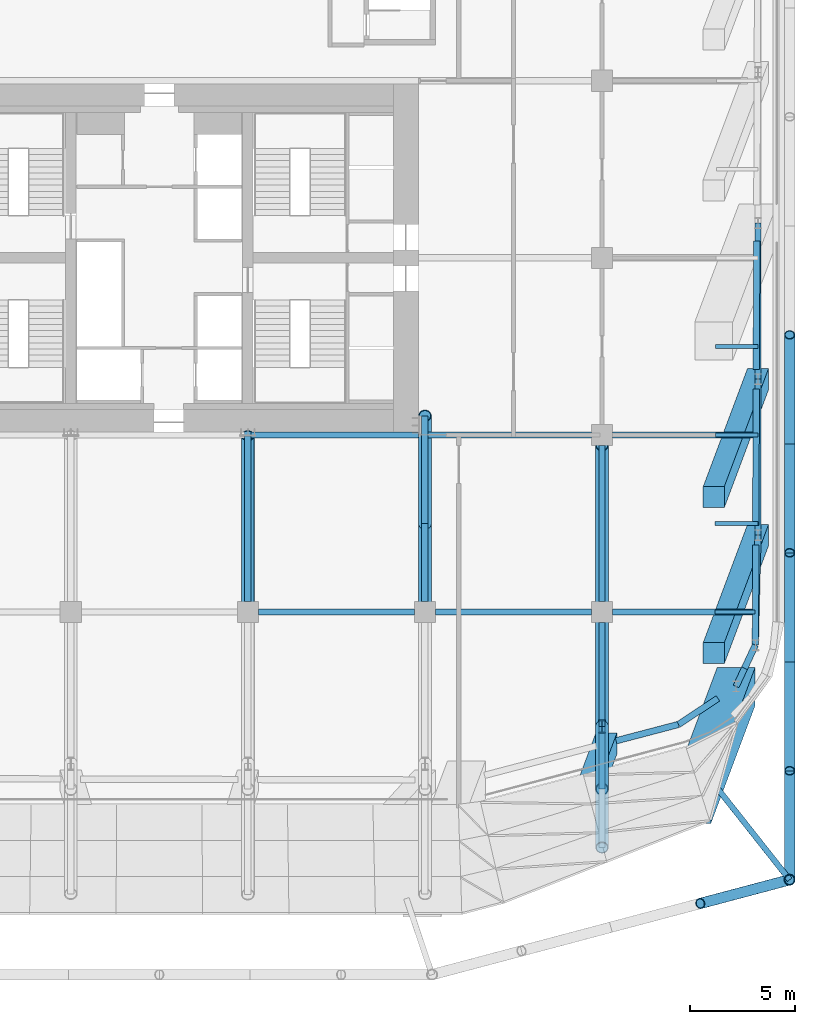
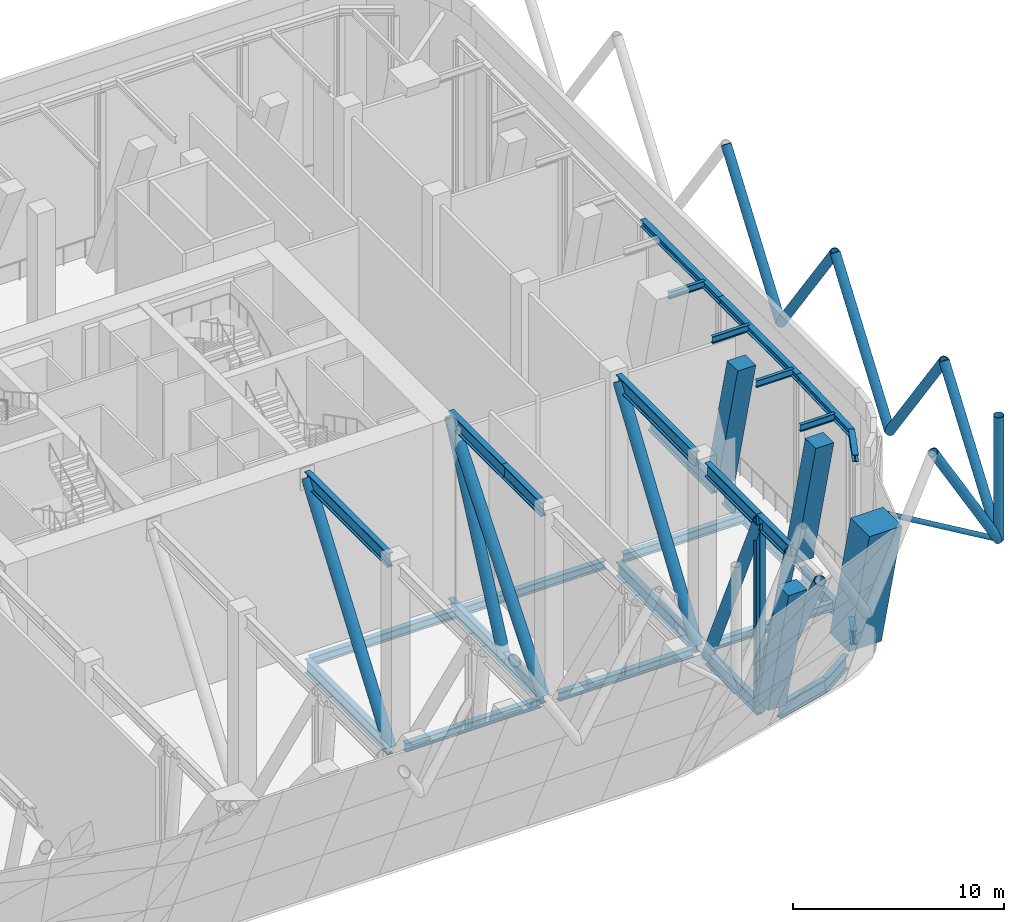
# One storey, part 5 of 19: 38 beams, 13 members.
"""IFC4 building model written with IfcOpenShell, lengths in metres."""

from ifc_helpers import new_model, si_unit, direction, frame, origin, origin_2d, place, context, subcontext, project, spatial, rectangle, hollow_circle, i_section, extrude, material, material_profile, profile_set, type_object, element, save


model = new_model("IFC4")

# Units and contexts
model_context = context("Model", 3, precision=1e-05, world=origin(), true_north=direction((0.0, 1.0)))
body_context = subcontext(model_context, "Body", "Model", "MODEL_VIEW")
ifc_project = project(units=[si_unit("LENGTHUNIT", "METRE"), si_unit("AREAUNIT", "SQUARE_METRE"), si_unit("VOLUMEUNIT", "CUBIC_METRE"), si_unit("PLANEANGLEUNIT", "RADIAN"), si_unit("MASSUNIT", "GRAM", prefix="KILO")], contexts=[model_context])

# Site, building, storey
site_placement = place(None, origin())
site = spatial("IfcSite", under=ifc_project, at=site_placement, CompositionType="ELEMENT")
building_placement = place(site_placement, origin())
building = spatial("IfcBuilding", under=site, at=building_placement, Name="Marenta Gate Hotel Tower", CompositionType="ELEMENT")
storey_placement = place(building_placement, frame((0.0, 0.0, 86.89990234375)))
storey = spatial("IfcBuildingStorey", under=building, at=storey_placement, Name="L20", CompositionType="ELEMENT", Elevation=86.89990234375)

# Members
ifc_material_1 = material(Name="Steel S355J2W", Category="steel")
ifc_material_profile_1 = material_profile(ifc_material_1, hollow_circle(Radius=0.25390625, WallThickness=0.02490234375, at=origin_2d()), Name="CHS 508x25")
ifc_profile_set_1 = profile_set([ifc_material_profile_1], Name="Steel S355J2W")
member_type_1 = type_object("IfcMemberType", Name="Diagrid corner post Z2 CHS 508x25", PredefinedType="POST", material=ifc_profile_set_1)
member_1_placement = place(storey_placement, frame((29.89990234375, -21.10009765625, 10.340087890625), z_axis=(0.0, 0.0, 1.0), x_axis=(1.0, 0.0, 0.0)))
element("IfcMember", 1, at=member_1_placement, inside=storey, type_object=member_type_1, Name="L20-DR-2", PredefinedType="POST", context=body_context, shape_type="SweptSolid", body=[
    extrude(hollow_circle(Radius=0.25390625, WallThickness=0.02490234375, at=origin_2d()), origin(), (0.0, 0.0, 1.0), 7.199951171875),
])
ifc_material_2 = material(Name="Steel S355J2W", Category="steel")
ifc_material_profile_2 = material_profile(ifc_material_2, hollow_circle(Radius=0.25390625, WallThickness=0.0400390625, at=origin_2d()), Name="CHS 508x40")
ifc_profile_set_2 = profile_set([ifc_material_profile_2], Name="Steel S355J2W")
member_type_2 = type_object("IfcMemberType", Name="Diagrid diagonal Z2 CHS 508x40", PredefinedType="BRACE", material=ifc_profile_set_2)
member_2_placement = place(storey_placement, frame((29.89990234375, -0.420166015625, 10.340087890625), z_axis=(0.0, 0.583279014058, 0.812271870595), x_axis=(-1.0, 0.0, 0.0)))
element("IfcMember", 2, at=member_2_placement, inside=storey, type_object=member_type_2, Name="L20-DG-6", PredefinedType="BRACE", context=body_context, shape_type="SweptSolid", body=[
    extrude(hollow_circle(Radius=0.25390625, WallThickness=0.0400390625, at=origin_2d()), origin(), (0.0, 0.0, 1.0), 8.864013671875),
])
for number, where, z_axis, x_axis, name in (
    (3, (29.89990234375, -0.420166015625, 10.340087890625), (0.0, -0.583260841117, 0.812284919975), (1.0, 0.0, 0.0), "L20-DG-7"),
    (4, (29.89990234375, -10.760009765625, 10.340087890625), (0.0, 0.583260841117, 0.812284919975), (-1.0, 0.0, 0.0), "L20-DG-8"),
):
    element("IfcMember", number, at=place(storey_placement, frame(where, z_axis=z_axis, x_axis=x_axis)), inside=storey, type_object=member_type_2, Name=name, PredefinedType="BRACE", context=body_context, shape_type="SweptSolid", body=[
        extrude(hollow_circle(Radius=0.25390625, WallThickness=0.0400390625, at=origin_2d()), origin(), (0.0, 0.0, 1.0), 8.86376953125),
    ])
member_3_placement = place(storey_placement, frame((29.89990234375, -10.760009765625, 10.340087890625), z_axis=(0.0, -0.583279014058, 0.812271870595), x_axis=(1.0, 0.0, 0.0)))
element("IfcMember", 5, at=member_3_placement, inside=storey, type_object=member_type_2, Name="L20-DG-9", PredefinedType="BRACE", context=body_context, shape_type="SweptSolid", body=[
    extrude(hollow_circle(Radius=0.25390625, WallThickness=0.0400390625, at=origin_2d()), origin(), (0.0, 0.0, 1.0), 8.864013671875),
])
member_4_placement = place(storey_placement, frame((29.89990234375, -21.10009765625, 10.340087890625), z_axis=(0.0, 0.583260841117, 0.812284919975), x_axis=(-1.0, 0.0, 0.0)))
element("IfcMember", 6, at=member_4_placement, inside=storey, type_object=member_type_2, Name="L20-DG-10", PredefinedType="BRACE", context=body_context, shape_type="SweptSolid", body=[
    extrude(hollow_circle(Radius=0.25390625, WallThickness=0.0400390625, at=origin_2d()), origin(), (0.0, 0.0, 1.0), 8.86376953125),
])
member_5_placement = place(storey_placement, frame((29.89990234375, -21.10009765625, 10.340087890625), z_axis=(-0.502902385412, -0.133435492139, 0.853981358218), x_axis=(0.256456982503, -0.966555645644, 0.0)))
element("IfcMember", 7, at=member_5_placement, inside=storey, type_object=member_type_2, Name="L20-DG-11", PredefinedType="BRACE", context=body_context, shape_type="SweptSolid", body=[
    extrude(hollow_circle(Radius=0.25390625, WallThickness=0.0400390625, at=origin_2d()), origin(), (0.0, 0.0, 1.0), 8.43115234375),
])

# Beams
ifc_material_3 = material(Name="Steel S355", Category="steel")
ifc_material_profile_3 = material_profile(ifc_material_3, i_section(OverallWidth=0.302978515625, OverallDepth=0.81396484375, WebThickness=0.030029296875, FlangeThickness=0.052001953125, FilletRadius=0.030029296875, at=origin_2d()), Name="HEM 800")
ifc_profile_set_3 = profile_set([ifc_material_profile_3], Name="Steel S355")
beam_type_1 = type_object("IfcBeamType", Name="Edge beam HEM 800", PredefinedType="SPANDREL", material=ifc_profile_set_3)
beam_1_placement = place(storey_placement, frame((28.3388671875, 9.18994140625, -0.706787109375), z_axis=(-0.003332378012, -0.999994447613, 0.0), x_axis=(0.999994447613, -0.003332378012, 0.0)))
element("IfcBeam", 8, at=beam_1_placement, inside=storey, type_object=beam_type_1, Name="L20-EB-25", PredefinedType="SPANDREL", context=body_context, shape_type="SweptSolid", body=[
    extrude(i_section(OverallWidth=0.302978515625, OverallDepth=0.81396484375, WebThickness=0.030029296875, FlangeThickness=0.052001953125, FilletRadius=0.030029296875, at=origin_2d()), origin(), (0.0, 0.0, 1.0), 6.080810546875),
])
beam_2_placement = place(storey_placement, frame((28.315673828125, 2.189208984375, -0.706787109375), z_axis=(-0.003352525703, -0.99999438027, 0.0), x_axis=(0.99999438027, -0.003352525703, 0.0)))
element("IfcBeam", 9, at=beam_2_placement, inside=storey, type_object=beam_type_1, Name="L20-EB-26", PredefinedType="SPANDREL", context=body_context, shape_type="SweptSolid", body=[
    extrude(i_section(OverallWidth=0.302978515625, OverallDepth=0.81396484375, WebThickness=0.030029296875, FlangeThickness=0.052001953125, FilletRadius=0.030029296875, at=origin_2d()), origin(), (0.0, 0.0, 1.0), 6.481201171875),
])
beam_3_placement = place(storey_placement, frame((28.291015625, -5.2119140625, -0.706787109375), z_axis=(-0.003337079684, -0.999994431934, 0.0), x_axis=(0.999994431934, -0.003337079684, 0.0)))
element("IfcBeam", 10, at=beam_3_placement, inside=storey, type_object=beam_type_1, Name="L20-EB-27", PredefinedType="SPANDREL", context=body_context, shape_type="SweptSolid", body=[
    extrude(i_section(OverallWidth=0.302978515625, OverallDepth=0.81396484375, WebThickness=0.030029296875, FlangeThickness=0.052001953125, FilletRadius=0.030029296875, at=origin_2d()), origin(), (0.0, 0.0, 1.0), 4.75537109375),
])
beam_4_placement = place(storey_placement, frame((28.275146484375, -9.96728515625, -0.706787109375), z_axis=(-0.423291965192, -0.905993329006, 0.0), x_axis=(0.905993329006, -0.423291965192, 0.0)))
element("IfcBeam", 11, at=beam_4_placement, inside=storey, type_object=beam_type_1, Name="L20-EB-28", PredefinedType="SPANDREL", context=body_context, shape_type="SweptSolid", body=[
    extrude(i_section(OverallWidth=0.302978515625, OverallDepth=0.81396484375, WebThickness=0.030029296875, FlangeThickness=0.052001953125, FilletRadius=0.030029296875, at=origin_2d()), origin(), (0.0, 0.0, 1.0), 1.21630859375),
])
beam_5_placement = place(storey_placement, frame((26.496337890625, -12.498291015625, -0.706787109375), z_axis=(-0.834510054819, -0.550992711754, 0.0), x_axis=(0.550992711754, -0.834510054819, 0.0)))
element("IfcBeam", 12, at=beam_5_placement, inside=storey, type_object=beam_type_1, Name="L20-EB-29", PredefinedType="SPANDREL", context=body_context, shape_type="SweptSolid", body=[
    extrude(i_section(OverallWidth=0.302978515625, OverallDepth=0.81396484375, WebThickness=0.030029296875, FlangeThickness=0.052001953125, FilletRadius=0.030029296875, at=origin_2d()), origin(), (0.0, 0.0, 1.0), 2.237060546875),
])
beam_6_placement = place(storey_placement, frame((24.62939453125, -13.73095703125, -0.706787109375), z_axis=(-0.967228272573, -0.253908386501, 0.0), x_axis=(0.253908386501, -0.967228272573, 0.0)))
element("IfcBeam", 13, at=beam_6_placement, inside=storey, type_object=beam_type_1, Name="L20-EB-30", PredefinedType="SPANDREL", context=body_context, shape_type="SweptSolid", body=[
    extrude(i_section(OverallWidth=0.302978515625, OverallDepth=0.81396484375, WebThickness=0.030029296875, FlangeThickness=0.052001953125, FilletRadius=0.030029296875, at=origin_2d()), origin(), (0.0, 0.0, 1.0), 3.0615234375),
])

# Members
ifc_material_4 = material(Name="Concrete C80", Category="concrete")
ifc_material_profile_4 = material_profile(ifc_material_4, rectangle(XDim=1.0, YDim=1.0, at=origin_2d()), Name="1000 x 1000")
ifc_profile_set_4 = profile_set([ifc_material_profile_4], Name="Concrete C80")
member_type_3 = type_object("IfcMemberType", Name="Edge column raked 1000 x 1000 C80", PredefinedType="STRUT", material=ifc_profile_set_4)
member_6_placement = place(storey_placement, frame((28.39990234375, 2.649169921875, 0.0), z_axis=(0.0, 0.0, 1.0), x_axis=(1.0, 0.0, 0.0)))
element("IfcMember", 14, at=member_6_placement, inside=storey, type_object=member_type_3, Name="L20-EC-E-SE-1", PredefinedType="STRUT", context=body_context, shape_type="SweptSolid", body=[
    extrude(rectangle(XDim=1.0, YDim=1.0, at=origin_2d()), origin(), (-0.170090510133, -0.453614245022, 0.874816172162), 12.345458984375),
])
member_7_placement = place(storey_placement, frame((28.39990234375, -4.751953125, 0.0), z_axis=(0.0, 0.0, 1.0), x_axis=(1.0, 0.0, 0.0)))
element("IfcMember", 15, at=member_7_placement, inside=storey, type_object=member_type_3, Name="L20-EC-E-SE-2", PredefinedType="STRUT", context=body_context, shape_type="SweptSolid", body=[
    extrude(rectangle(XDim=1.0, YDim=1.0, at=origin_2d()), origin(), (-0.170092035922, -0.453598538302, 0.874824019656), 12.345458984375),
])
member_8_placement = place(storey_placement, frame((21.206787109375, -14.63916015625, 0.0), z_axis=(0.0, 0.0, 1.0), x_axis=(1.0, 0.0, 0.0)))
element("IfcMember", 16, at=member_8_placement, inside=storey, type_object=member_type_3, Name="L20-EC-SE-SKE-1", PredefinedType="STRUT", context=body_context, shape_type="SweptSolid", body=[
    extrude(rectangle(XDim=1.0, YDim=1.0, at=origin_2d()), origin(), (-0.170111239528, -0.453597012445, 0.874821076842), 12.345458984375),
])
ifc_material_5 = material(Name="Steel S355J2W", Category="steel")
ifc_material_profile_5 = material_profile(ifc_material_5, hollow_circle(Radius=0.136474609375, WallThickness=0.012451171875, at=origin_2d()), Name="CHS 273x12.5")
ifc_profile_set_5 = profile_set([ifc_material_profile_5], Name="Steel S355J2W")
member_type_4 = type_object("IfcMemberType", Name="Floor tie CHS 273x12.5", PredefinedType="STRUT", material=ifc_profile_set_5)
member_9_placement = place(storey_placement, frame((29.89990234375, -21.10009765625, 10.340087890625), z_axis=(-0.619960176981, 0.784633276733, 0.0), x_axis=(-0.784633276733, -0.619960176981, 0.0)))
element("IfcMember", 17, at=member_9_placement, inside=storey, type_object=member_type_4, Name="L20-DR-8", PredefinedType="STRUT", context=body_context, shape_type="SweptSolid", body=[
    extrude(hollow_circle(Radius=0.136474609375, WallThickness=0.012451171875, at=origin_2d()), origin(), (0.0, 0.0, 1.0), 5.988037109375),
])

# Beams
ifc_material_6 = material(Name="Steel S355", Category="steel")
ifc_material_profile_6 = material_profile(ifc_material_6, i_section(OverallWidth=0.300048828125, OverallDepth=0.5, WebThickness=0.014404296875, FlangeThickness=0.028076171875, FilletRadius=0.027099609375, at=origin_2d()), Name="HEB 500")
ifc_profile_set_6 = profile_set([ifc_material_profile_6], Name="Steel S355")
beam_type_2 = type_object("IfcBeamType", Name="Girder HEB 500", PredefinedType="BEAM", material=ifc_profile_set_6)
beam_7_placement = place(storey_placement, frame((4.699951171875, -8.39990234375, -0.5498046875), z_axis=(1.0, 0.0, 0.0), x_axis=(0.0, 1.0, 0.0)))
element("IfcBeam", 18, at=beam_7_placement, inside=storey, type_object=beam_type_2, Name="L20-GD-5", PredefinedType="BEAM", context=body_context, shape_type="SweptSolid", body=[
    extrude(i_section(OverallWidth=0.300048828125, OverallDepth=0.5, WebThickness=0.014404296875, FlangeThickness=0.028076171875, FilletRadius=0.027099609375, at=origin_2d()), origin(), (0.0, 0.0, 1.0), 7.400146484375),
])
beam_8_placement = place(storey_placement, frame((13.10009765625, -8.39990234375, -0.5498046875), z_axis=(1.0, 0.0, 0.0), x_axis=(0.0, 1.0, 0.0)))
element("IfcBeam", 19, at=beam_8_placement, inside=storey, type_object=beam_type_2, Name="L20-GD-6", PredefinedType="BEAM", context=body_context, shape_type="SweptSolid", body=[
    extrude(i_section(OverallWidth=0.300048828125, OverallDepth=0.5, WebThickness=0.014404296875, FlangeThickness=0.028076171875, FilletRadius=0.027099609375, at=origin_2d()), origin(), (0.0, 0.0, 1.0), 7.39990234375),
])
beam_9_placement = place(storey_placement, frame((21.5, -8.39990234375, -0.5498046875), z_axis=(1.0, 0.0, 0.0), x_axis=(0.0, 1.0, 0.0)))
element("IfcBeam", 20, at=beam_9_placement, inside=storey, type_object=beam_type_2, Name="L20-GD-7", PredefinedType="BEAM", context=body_context, shape_type="SweptSolid", body=[
    extrude(i_section(OverallWidth=0.300048828125, OverallDepth=0.5, WebThickness=0.014404296875, FlangeThickness=0.028076171875, FilletRadius=0.027099609375, at=origin_2d()), origin(), (0.0, 0.0, 1.0), 6.62890625),
])
beam_10_placement = place(storey_placement, frame((4.3515625, 0.0, -0.5498046875), z_axis=(1.0, 0.0, 0.0), x_axis=(0.0, 1.0, 0.0)))
element("IfcBeam", 21, at=beam_10_placement, inside=storey, type_object=beam_type_2, Name="L20-GD-12", PredefinedType="BEAM", context=body_context, shape_type="SweptSolid", body=[
    extrude(i_section(OverallWidth=0.300048828125, OverallDepth=0.5, WebThickness=0.014404296875, FlangeThickness=0.028076171875, FilletRadius=0.027099609375, at=origin_2d()), origin(), (0.0, 0.0, 1.0), 7.948486328125),
])
beam_11_placement = place(storey_placement, frame((12.75146484375, 0.0, -0.5498046875), z_axis=(1.0, 0.0, 0.0), x_axis=(0.0, 1.0, 0.0)))
element("IfcBeam", 22, at=beam_11_placement, inside=storey, type_object=beam_type_2, Name="L20-GD-13", PredefinedType="BEAM", context=body_context, shape_type="SweptSolid", body=[
    extrude(i_section(OverallWidth=0.300048828125, OverallDepth=0.5, WebThickness=0.014404296875, FlangeThickness=0.028076171875, FilletRadius=0.027099609375, at=origin_2d()), origin(), (0.0, 0.0, 1.0), 7.74853515625),
])
beam_12_placement = place(storey_placement, frame((21.5, 0.0, -0.5498046875), z_axis=(1.0, 0.0, 0.0), x_axis=(0.0, 1.0, 0.0)))
element("IfcBeam", 23, at=beam_12_placement, inside=storey, type_object=beam_type_2, Name="L20-GD-14", PredefinedType="BEAM", context=body_context, shape_type="SweptSolid", body=[
    extrude(i_section(OverallWidth=0.300048828125, OverallDepth=0.5, WebThickness=0.014404296875, FlangeThickness=0.028076171875, FilletRadius=0.027099609375, at=origin_2d()), origin(), (0.0, 0.0, 1.0), 6.65673828125),
])

# Member
ifc_material_7 = material(Name="Concrete C80", Category="concrete")
ifc_material_profile_7 = material_profile(ifc_material_7, rectangle(XDim=1.800048828125, YDim=1.800048828125, at=origin_2d()), Name="1800 x 1800")
ifc_profile_set_7 = profile_set([ifc_material_profile_7], Name="Concrete C80")
member_type_5 = type_object("IfcMemberType", Name="Mega column raked 1800 x 1800 C80", PredefinedType="STRUT", material=ifc_profile_set_7)
member_10_placement = place(storey_placement, frame((27.363037109375, -11.93310546875, 0.0), z_axis=(0.0, 0.0, 1.0), x_axis=(1.0, 0.0, 0.0)))
element("IfcMember", 24, at=member_10_placement, inside=storey, type_object=member_type_5, Name="L20-MC-SE", PredefinedType="STRUT", context=body_context, shape_type="SweptSolid", body=[
    extrude(rectangle(XDim=1.800048828125, YDim=1.800048828125, at=origin_2d()), origin(), (-0.170111239528, -0.453597012445, 0.874821076842), 12.345458984375),
])

# Beams
ifc_material_8 = material(Name="Steel S355", Category="steel")
ifc_material_profile_8 = material_profile(ifc_material_8, i_section(OverallWidth=0.302978515625, OverallDepth=0.81396484375, WebThickness=0.030029296875, FlangeThickness=0.052001953125, FilletRadius=0.030029296875, at=origin_2d()), Name="HEM 800")
ifc_profile_set_8 = profile_set([ifc_material_profile_8], Name="Steel S355")
beam_type_3 = type_object("IfcBeamType", Name="Outrigger truss chord HEM 800", PredefinedType="BEAM", material=ifc_profile_set_8)
for number, where, z_axis, x_axis, name in (
    (25, (4.199951171875, -0.050048828125, -0.706787109375), (0.0, -1.0, 0.0), (1.0, 0.0, 0.0), "TC-HEM800 Outrigger truss T1-7 chord"),
    (26, (4.199951171875, -0.050048828125, 10.133056640625), (0.0, -1.0, 0.0), (1.0, 0.0, 0.0), "TC-HEM800 Outrigger truss T1-7 chord"),
):
    element("IfcBeam", number, at=place(storey_placement, frame(where, z_axis=z_axis, x_axis=x_axis)), inside=storey, type_object=beam_type_3, Name=name, PredefinedType="BEAM", context=body_context, shape_type="SweptSolid", body=[
        extrude(i_section(OverallWidth=0.302978515625, OverallDepth=0.81396484375, WebThickness=0.030029296875, FlangeThickness=0.052001953125, FilletRadius=0.030029296875, at=origin_2d()), origin(), (0.0, 0.0, 1.0), 7.849853515625),
    ])
beam_13_placement = place(storey_placement, frame((12.60009765625, 0.89990234375, -0.706787109375), z_axis=(0.0, -1.0, 0.0), x_axis=(1.0, 0.0, 0.0)))
element("IfcBeam", 27, at=beam_13_placement, inside=storey, type_object=beam_type_3, Name="TC-HEM800 Outrigger truss T1-8 chord", PredefinedType="BEAM", context=body_context, shape_type="SweptSolid", body=[
    extrude(i_section(OverallWidth=0.302978515625, OverallDepth=0.81396484375, WebThickness=0.030029296875, FlangeThickness=0.052001953125, FilletRadius=0.030029296875, at=origin_2d()), origin(), (0.0, 0.0, 1.0), 5.099853515625),
])
beam_14_placement = place(storey_placement, frame((12.60009765625, -4.199951171875, -0.706787109375), z_axis=(0.0, -1.0, 0.0), x_axis=(1.0, 0.0, 0.0)))
element("IfcBeam", 28, at=beam_14_placement, inside=storey, type_object=beam_type_3, Name="TC-HEM800 Outrigger truss T1-8 chord", PredefinedType="BEAM", context=body_context, shape_type="SweptSolid", body=[
    extrude(i_section(OverallWidth=0.302978515625, OverallDepth=0.81396484375, WebThickness=0.030029296875, FlangeThickness=0.052001953125, FilletRadius=0.030029296875, at=origin_2d()), origin(), (0.0, 0.0, 1.0), 3.699951171875),
])
beam_15_placement = place(storey_placement, frame((12.60009765625, 0.89990234375, 10.133056640625), z_axis=(0.0, -1.0, 0.0), x_axis=(1.0, 0.0, 0.0)))
element("IfcBeam", 29, at=beam_15_placement, inside=storey, type_object=beam_type_3, Name="TC-HEM800 Outrigger truss T1-8 chord", PredefinedType="BEAM", context=body_context, shape_type="SweptSolid", body=[
    extrude(i_section(OverallWidth=0.302978515625, OverallDepth=0.81396484375, WebThickness=0.030029296875, FlangeThickness=0.052001953125, FilletRadius=0.030029296875, at=origin_2d()), origin(), (0.0, 0.0, 1.0), 5.099853515625),
])
beam_16_placement = place(storey_placement, frame((12.60009765625, -4.199951171875, 10.133056640625), z_axis=(0.0, -1.0, 0.0), x_axis=(1.0, 0.0, 0.0)))
element("IfcBeam", 30, at=beam_16_placement, inside=storey, type_object=beam_type_3, Name="TC-HEM800 Outrigger truss T1-8 chord", PredefinedType="BEAM", context=body_context, shape_type="SweptSolid", body=[
    extrude(i_section(OverallWidth=0.302978515625, OverallDepth=0.81396484375, WebThickness=0.030029296875, FlangeThickness=0.052001953125, FilletRadius=0.030029296875, at=origin_2d()), origin(), (0.0, 0.0, 1.0), 3.699951171875),
])
beam_17_placement = place(storey_placement, frame((21.0, -0.5, -0.706787109375), z_axis=(0.0, -1.0, 0.0), x_axis=(1.0, 0.0, 0.0)))
element("IfcBeam", 31, at=beam_17_placement, inside=storey, type_object=beam_type_3, Name="TC-HEM800 Outrigger truss T1-9 chord", PredefinedType="BEAM", context=body_context, shape_type="SweptSolid", body=[
    extrude(i_section(OverallWidth=0.302978515625, OverallDepth=0.81396484375, WebThickness=0.030029296875, FlangeThickness=0.052001953125, FilletRadius=0.030029296875, at=origin_2d()), origin(), (0.0, 0.0, 1.0), 7.39990234375),
])
beam_18_placement = place(storey_placement, frame((21.0, -8.89990234375, -0.706787109375), z_axis=(0.0, -1.0, 0.0), x_axis=(1.0, 0.0, 0.0)))
element("IfcBeam", 32, at=beam_18_placement, inside=storey, type_object=beam_type_3, Name="TC-HEM800 Outrigger truss T1-9 chord", PredefinedType="BEAM", context=body_context, shape_type="SweptSolid", body=[
    extrude(i_section(OverallWidth=0.302978515625, OverallDepth=0.81396484375, WebThickness=0.030029296875, FlangeThickness=0.052001953125, FilletRadius=0.030029296875, at=origin_2d()), origin(), (0.0, 0.0, 1.0), 4.9287109375),
])
beam_19_placement = place(storey_placement, frame((21.0, -0.5, 10.133056640625), z_axis=(0.0, -1.0, 0.0), x_axis=(1.0, 0.0, 0.0)))
element("IfcBeam", 33, at=beam_19_placement, inside=storey, type_object=beam_type_3, Name="TC-HEM800 Outrigger truss T1-9 chord", PredefinedType="BEAM", context=body_context, shape_type="SweptSolid", body=[
    extrude(i_section(OverallWidth=0.302978515625, OverallDepth=0.81396484375, WebThickness=0.030029296875, FlangeThickness=0.052001953125, FilletRadius=0.030029296875, at=origin_2d()), origin(), (0.0, 0.0, 1.0), 7.39990234375),
])
beam_20_placement = place(storey_placement, frame((21.0, -8.89990234375, 10.133056640625), z_axis=(0.0, -1.0, 0.0), x_axis=(1.0, 0.0, 0.0)))
element("IfcBeam", 34, at=beam_20_placement, inside=storey, type_object=beam_type_3, Name="TC-HEM800 Outrigger truss T1-9 chord", PredefinedType="BEAM", context=body_context, shape_type="SweptSolid", body=[
    extrude(i_section(OverallWidth=0.302978515625, OverallDepth=0.81396484375, WebThickness=0.030029296875, FlangeThickness=0.052001953125, FilletRadius=0.030029296875, at=origin_2d()), origin(), (0.0, 0.0, 1.0), 4.9287109375),
])
beam_21_placement = place(storey_placement, frame((21.0, -13.82861328125, 10.133056640625), z_axis=(0.0, -1.0, 0.0), x_axis=(1.0, 0.0, 0.0)))
element("IfcBeam", 35, at=beam_21_placement, inside=storey, type_object=beam_type_3, Name="TC-HEM800 Outrigger truss T1-9 chord", PredefinedType="BEAM", context=body_context, shape_type="SweptSolid", body=[
    extrude(i_section(OverallWidth=0.302978515625, OverallDepth=0.81396484375, WebThickness=0.030029296875, FlangeThickness=0.052001953125, FilletRadius=0.030029296875, at=origin_2d()), origin(), (0.0, 0.0, 1.0), 2.971435546875),
])
ifc_material_9 = material(Name="Steel S355", Category="steel")
ifc_material_profile_9 = material_profile(ifc_material_9, hollow_circle(Radius=0.304931640625, WallThickness=0.0400390625, at=origin_2d()), Name="CHS 610x40")
ifc_profile_set_9 = profile_set([ifc_material_profile_9], Name="Steel S355")
beam_type_4 = type_object("IfcBeamType", Name="Outrigger truss diagonal CHS 610x40", PredefinedType="BEAM", material=ifc_profile_set_9)
beam_22_placement = place(storey_placement, frame((4.199951171875, -0.032470703125, 10.157470703125), z_axis=(0.0, -0.586520105057, -0.80993466796), x_axis=(1.0, 0.0, 0.0)))
element("IfcBeam", 36, at=beam_22_placement, inside=storey, type_object=beam_type_4, Name="Outrigger truss T1-7 diagonal", PredefinedType="BEAM", context=body_context, shape_type="SweptSolid", body=[
    extrude(hollow_circle(Radius=0.304931640625, WallThickness=0.0400390625, at=origin_2d()), origin(), (0.0, 0.0, 1.0), 13.413818359375),
])
beam_23_placement = place(storey_placement, frame((12.60009765625, 0.9189453125, 10.156494140625), z_axis=(0.0, -0.63026675883, -0.776378652923), x_axis=(1.0, 0.0, 0.0)))
element("IfcBeam", 37, at=beam_23_placement, inside=storey, type_object=beam_type_4, Name="Outrigger truss T1-8 diagonal", PredefinedType="BEAM", context=body_context, shape_type="SweptSolid", body=[
    extrude(hollow_circle(Radius=0.304931640625, WallThickness=0.0400390625, at=origin_2d()), origin(), (0.0, 0.0, 1.0), 13.9921875),
])
beam_24_placement = place(storey_placement, frame((12.60009765625, -4.199951171875, -0.706787109375), z_axis=(0.0, 0.425724588614, 0.904852791701), x_axis=(-1.0, 0.0, 0.0)))
element("IfcBeam", 38, at=beam_24_placement, inside=storey, type_object=beam_type_4, Name="Outrigger truss T1-8 diagonal", PredefinedType="BEAM", context=body_context, shape_type="SweptSolid", body=[
    extrude(hollow_circle(Radius=0.304931640625, WallThickness=0.0400390625, at=origin_2d()), origin(), (0.0, 0.0, 1.0), 12.009521484375),
])
beam_25_placement = place(storey_placement, frame((21.0, -0.5, 10.133056640625), z_axis=(0.0, -0.563810032927, -0.82590450221), x_axis=(1.0, 0.0, 0.0)))
element("IfcBeam", 39, at=beam_25_placement, inside=storey, type_object=beam_type_4, Name="Outrigger truss T1-9 diagonal", PredefinedType="BEAM", context=body_context, shape_type="SweptSolid", body=[
    extrude(hollow_circle(Radius=0.304931640625, WallThickness=0.0400390625, at=origin_2d()), origin(), (0.0, 0.0, 1.0), 13.124755859375),
])
beam_26_placement = place(storey_placement, frame((21.0, -8.89990234375, -0.706787109375), z_axis=(0.0, -0.413907982644, 0.910318725449), x_axis=(1.0, 0.0, 0.0)))
element("IfcBeam", 40, at=beam_26_placement, inside=storey, type_object=beam_type_4, Name="Outrigger truss T1-9 diagonal", PredefinedType="BEAM", context=body_context, shape_type="SweptSolid", body=[
    extrude(hollow_circle(Radius=0.304931640625, WallThickness=0.0400390625, at=origin_2d()), origin(), (0.0, 0.0, 1.0), 11.90771484375),
])
beam_27_placement = place(storey_placement, frame((21.0, -13.82861328125, -0.706787109375), z_axis=(0.0, -0.264368827222, 0.96442165218), x_axis=(1.0, 0.0, 0.0)))
element("IfcBeam", 41, at=beam_27_placement, inside=storey, type_object=beam_type_4, Name="Outrigger truss T1-9 diagonal", PredefinedType="BEAM", context=body_context, shape_type="SweptSolid", body=[
    extrude(hollow_circle(Radius=0.304931640625, WallThickness=0.0400390625, at=origin_2d()), origin(), (0.0, 0.0, 1.0), 11.23974609375),
])
beam_28_placement = place(storey_placement, frame((21.0, -13.82861328125, -0.706787109375), z_axis=(0.0, -0.468433444996, 0.883498787554), x_axis=(1.0, 0.0, 0.0)))
element("IfcBeam", 42, at=beam_28_placement, inside=storey, type_object=beam_type_4, Name="Outrigger truss T1-9 diagonal", PredefinedType="BEAM", context=body_context, shape_type="SweptSolid", body=[
    extrude(hollow_circle(Radius=0.304931640625, WallThickness=0.0400390625, at=origin_2d()), origin(), (0.0, 0.0, 1.0), 12.269287109375),
])

# Member
ifc_material_10 = material(Name="Steel S355", Category="steel")
ifc_material_profile_10 = material_profile(ifc_material_10, i_section(OverallWidth=0.304931640625, OverallDepth=0.6201171875, WebThickness=0.02490234375, FlangeThickness=0.0439453125, FilletRadius=0.027099609375, at=origin_2d()), Name="HEM 600")
ifc_profile_set_10 = profile_set([ifc_material_profile_10], Name="Steel S355")
member_type_6 = type_object("IfcMemberType", Name="Outrigger truss post HEM 600", PredefinedType="POST", material=ifc_profile_set_10)
member_11_placement = place(storey_placement, frame((21.0, -13.82861328125, -0.706787109375), z_axis=(0.0, 0.0, 1.0), x_axis=(1.0, 0.0, 0.0)))
element("IfcMember", 43, at=member_11_placement, inside=storey, type_object=member_type_6, Name="TR-HEM600 Outrigger truss T1-9 post", PredefinedType="POST", context=body_context, shape_type="SweptSolid", body=[
    extrude(i_section(OverallWidth=0.304931640625, OverallDepth=0.6201171875, WebThickness=0.02490234375, FlangeThickness=0.0439453125, FilletRadius=0.027099609375, at=origin_2d()), origin(), (0.0, 0.0, 1.0), 10.83984375),
])

# Beams
ifc_material_11 = material(Name="Steel S355", Category="steel")
ifc_material_profile_11 = material_profile(ifc_material_11, i_section(OverallWidth=0.179931640625, OverallDepth=0.39990234375, WebThickness=0.008544921875, FlangeThickness=0.013427734375, FilletRadius=0.02099609375, at=origin_2d()), Name="IPE 400")
ifc_profile_set_11 = profile_set([ifc_material_profile_11], Name="Steel S355")
beam_type_5 = type_object("IfcBeamType", Name="Terrace beam IPE 400", PredefinedType="JOIST", material=ifc_profile_set_11)
beam_29_placement = place(storey_placement, frame((26.35009765625, -8.39990234375, 10.340087890625), z_axis=(1.0, 0.0, 0.0), x_axis=(0.0, 1.0, 0.0)))
element("IfcBeam", 44, at=beam_29_placement, inside=storey, type_object=beam_type_5, Name="L20-TB-14", PredefinedType="JOIST", context=body_context, shape_type="SweptSolid", body=[
    extrude(i_section(OverallWidth=0.179931640625, OverallDepth=0.39990234375, WebThickness=0.008544921875, FlangeThickness=0.013427734375, FilletRadius=0.02099609375, at=origin_2d()), origin(), (0.0, 0.0, 1.0), 1.89892578125),
])
beam_30_placement = place(storey_placement, frame((26.364013671875, -4.199951171875, 10.340087890625), z_axis=(1.0, 0.0, 0.0), x_axis=(0.0, 1.0, 0.0)))
element("IfcBeam", 45, at=beam_30_placement, inside=storey, type_object=beam_type_5, Name="L20-TB-15", PredefinedType="JOIST", context=body_context, shape_type="SweptSolid", body=[
    extrude(i_section(OverallWidth=0.179931640625, OverallDepth=0.39990234375, WebThickness=0.008544921875, FlangeThickness=0.013427734375, FilletRadius=0.02099609375, at=origin_2d()), origin(), (0.0, 0.0, 1.0), 2.035888671875),
])
beam_31_placement = place(storey_placement, frame((26.3779296875, 0.0, 10.340087890625), z_axis=(1.0, 0.0, 0.0), x_axis=(0.0, 1.0, 0.0)))
element("IfcBeam", 46, at=beam_31_placement, inside=storey, type_object=beam_type_5, Name="L20-TB-16", PredefinedType="JOIST", context=body_context, shape_type="SweptSolid", body=[
    extrude(i_section(OverallWidth=0.179931640625, OverallDepth=0.39990234375, WebThickness=0.008544921875, FlangeThickness=0.013427734375, FilletRadius=0.02099609375, at=origin_2d()), origin(), (0.0, 0.0, 1.0), 2.02197265625),
])
beam_32_placement = place(storey_placement, frame((26.391845703125, 4.199951171875, 10.340087890625), z_axis=(1.0, 0.0, 0.0), x_axis=(0.0, 1.0, 0.0)))
element("IfcBeam", 47, at=beam_32_placement, inside=storey, type_object=beam_type_5, Name="L20-TB-17", PredefinedType="JOIST", context=body_context, shape_type="SweptSolid", body=[
    extrude(i_section(OverallWidth=0.179931640625, OverallDepth=0.39990234375, WebThickness=0.008544921875, FlangeThickness=0.013427734375, FilletRadius=0.02099609375, at=origin_2d()), origin(), (0.0, 0.0, 1.0), 2.008056640625),
])
ifc_material_12 = material(Name="Steel S355", Category="steel")
ifc_material_profile_12 = material_profile(ifc_material_12, i_section(OverallWidth=0.300048828125, OverallDepth=0.39990234375, WebThickness=0.013427734375, FlangeThickness=0.02392578125, FilletRadius=0.027099609375, at=origin_2d()), Name="HEB 400")
ifc_profile_set_12 = profile_set([ifc_material_profile_12], Name="Steel S355")
beam_type_6 = type_object("IfcBeamType", Name="Terrace edge beam HEB 400", PredefinedType="SPANDREL", material=ifc_profile_set_12)
beam_33_placement = place(storey_placement, frame((28.39990234375, 10.050048828125, 10.340087890625), z_axis=(0.0, -1.0, 0.0), x_axis=(1.0, 0.0, 0.0)))
element("IfcBeam", 48, at=beam_33_placement, inside=storey, type_object=beam_type_6, Name="L20-TE-20", PredefinedType="SPANDREL", context=body_context, shape_type="SweptSolid", body=[
    extrude(i_section(OverallWidth=0.300048828125, OverallDepth=0.39990234375, WebThickness=0.013427734375, FlangeThickness=0.02392578125, FilletRadius=0.027099609375, at=origin_2d()), origin(), (0.0, 0.0, 1.0), 7.40087890625),
])
beam_34_placement = place(storey_placement, frame((28.39990234375, 2.649169921875, 10.340087890625), z_axis=(0.0, -1.0, 0.0), x_axis=(1.0, 0.0, 0.0)))
element("IfcBeam", 49, at=beam_34_placement, inside=storey, type_object=beam_type_6, Name="L20-TE-21", PredefinedType="SPANDREL", context=body_context, shape_type="SweptSolid", body=[
    extrude(i_section(OverallWidth=0.300048828125, OverallDepth=0.39990234375, WebThickness=0.013427734375, FlangeThickness=0.02392578125, FilletRadius=0.027099609375, at=origin_2d()), origin(), (0.0, 0.0, 1.0), 7.401123046875),
])
beam_35_placement = place(storey_placement, frame((28.39990234375, -4.751953125, 10.340087890625), z_axis=(-0.023914140165, -0.999714016057, 0.0), x_axis=(0.999714016057, -0.023914140165, 0.0)))
element("IfcBeam", 50, at=beam_35_placement, inside=storey, type_object=beam_type_6, Name="L20-TE-22", PredefinedType="SPANDREL", context=body_context, shape_type="SweptSolid", body=[
    extrude(i_section(OverallWidth=0.300048828125, OverallDepth=0.39990234375, WebThickness=0.013427734375, FlangeThickness=0.02392578125, FilletRadius=0.027099609375, at=origin_2d()), origin(), (0.0, 0.0, 1.0), 5.216796875),
])
beam_36_placement = place(storey_placement, frame((28.275146484375, -9.96728515625, 10.340087890625), z_axis=(-0.42342848695, -0.905929531718, 0.0), x_axis=(0.905929531718, -0.42342848695, 0.0)))
element("IfcBeam", 51, at=beam_36_placement, inside=storey, type_object=beam_type_6, Name="L20-TE-23", PredefinedType="SPANDREL", context=body_context, shape_type="SweptSolid", body=[
    extrude(i_section(OverallWidth=0.300048828125, OverallDepth=0.39990234375, WebThickness=0.013427734375, FlangeThickness=0.02392578125, FilletRadius=0.027099609375, at=origin_2d()), origin(), (0.0, 0.0, 1.0), 2.16552734375),
])

save(model, "model.ifc")
